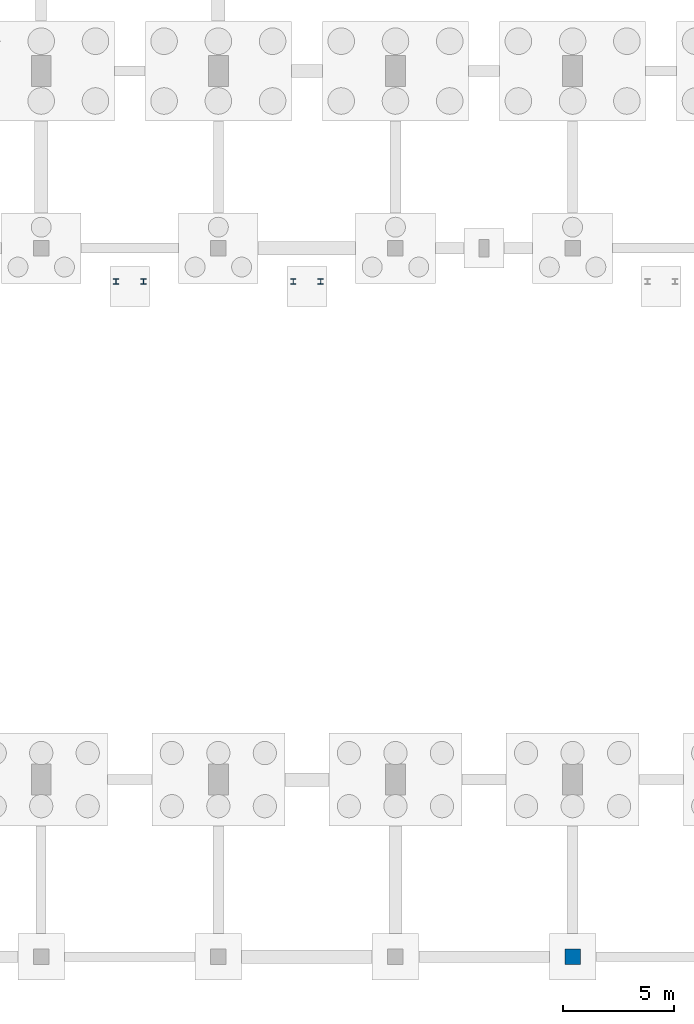
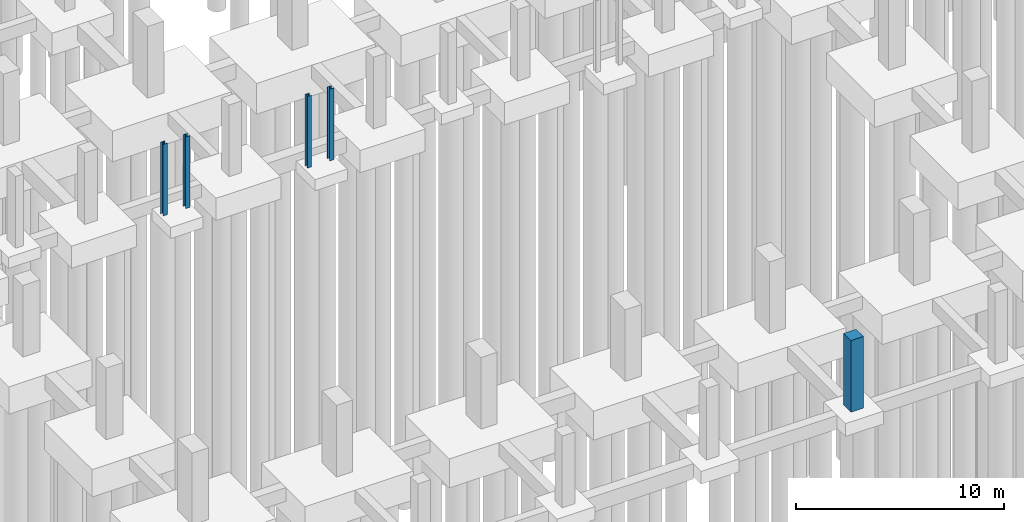
# One storey, part 11 of 32: 5 columns.
"""IFC4 building model written with IfcOpenShell, lengths in metres."""

from ifc_helpers import new_model, si_unit, direction, frame, origin, origin_2d, place, context, subcontext, project, spatial, rectangle, i_section, extrude, material, material_profile, profile_set, type_object, element, save


model = new_model("IFC4")

# Units and contexts
model_context = context("Model", 3, precision=1e-05, world=origin(), true_north=direction((0.0, 1.0)))
body_context = subcontext(model_context, "Body", "Model", "MODEL_VIEW")
ifc_project = project(units=[si_unit("LENGTHUNIT", "METRE"), si_unit("AREAUNIT", "SQUARE_METRE"), si_unit("VOLUMEUNIT", "CUBIC_METRE"), si_unit("PLANEANGLEUNIT", "RADIAN"), si_unit("MASSUNIT", "GRAM", prefix="KILO")], contexts=[model_context])

# Site, building, storey
site_placement = place(None, origin())
site = spatial("IfcSite", under=ifc_project, at=site_placement, CompositionType="ELEMENT")
building_placement = place(site_placement, origin())
building = spatial("IfcBuilding", under=site, at=building_placement, Name="Tenunan Teduh Sports Hall", CompositionType="ELEMENT")
storey_placement = place(building_placement, frame((0.0, 0.0, -4.199951171875)))
storey = spatial("IfcBuildingStorey", under=building, at=storey_placement, Name="B1", CompositionType="ELEMENT", Elevation=-4.199951171875)

# Columns
ifc_material_1 = material(Name="Concrete C40/50", Category="concrete")
ifc_material_profile_1 = material_profile(ifc_material_1, rectangle(XDim=0.699951171875, YDim=0.699951171875, at=origin_2d()), Name="RC 700x700")
ifc_profile_set_1 = profile_set([ifc_material_profile_1], Name="Concrete C40/50")
column_type_1 = type_object("IfcColumnType", Name="COL-RC-700", PredefinedType="COLUMN", material=ifc_profile_set_1)
column_placement = place(storey_placement, frame((38.0, 6.0, 0.0), z_axis=(0.0, 0.0, 1.0), x_axis=(1.0, 0.0, 0.0)))
element("IfcColumn", 1, at=column_placement, inside=storey, type_object=column_type_1, Name="COL-C-07-B1-051", PredefinedType="COLUMN", context=body_context, shape_type="SweptSolid", body=[
    extrude(rectangle(XDim=0.699951171875, YDim=0.699951171875, at=origin_2d()), origin(), (0.0, 0.0, 1.0), 4.199951171875),
])
ifc_material_2 = material(Name="Steel S355", Category="steel")
ifc_material_profile_2 = material_profile(ifc_material_2, i_section(OverallWidth=0.239990234375, OverallDepth=0.239990234375, WebThickness=0.010009765625, FlangeThickness=0.01708984375, FilletRadius=0.02099609375, at=origin_2d()), Name="HEB 240")
ifc_profile_set_2 = profile_set([ifc_material_profile_2], Name="Steel S355")
column_type_2 = type_object("IfcColumnType", Name="COL-ST-HEB240", PredefinedType="COLUMN", material=ifc_profile_set_2)
for number, where, z_axis, x_axis, name in (
    (2, (17.3798828125, 36.5, 0.0), (0.0, 0.0, 1.0), (1.0, 0.0, 0.0), "COL-SC-04-FST-4-1-B1"),
    (3, (18.6201171875, 36.5, 0.0), (0.0, 0.0, 1.0), (1.0, 0.0, 0.0), "COL-SC-04-FST-4-2-B1"),
    (4, (25.3798828125, 36.5, 0.0), (0.0, 0.0, 1.0), (1.0, 0.0, 0.0), "COL-SC-04-FST-5-1-B1"),
    (5, (26.6201171875, 36.5, 0.0), (0.0, 0.0, 1.0), (1.0, 0.0, 0.0), "COL-SC-04-FST-5-2-B1"),
):
    element("IfcColumn", number, at=place(storey_placement, frame(where, z_axis=z_axis, x_axis=x_axis)), inside=storey, type_object=column_type_2, Name=name, PredefinedType="COLUMN", context=body_context, shape_type="SweptSolid", body=[
        extrude(i_section(OverallWidth=0.239990234375, OverallDepth=0.239990234375, WebThickness=0.010009765625, FlangeThickness=0.01708984375, FilletRadius=0.02099609375, at=origin_2d()), origin(), (0.0, 0.0, 1.0), 4.199951171875),
    ])

save(model, "model.ifc")
